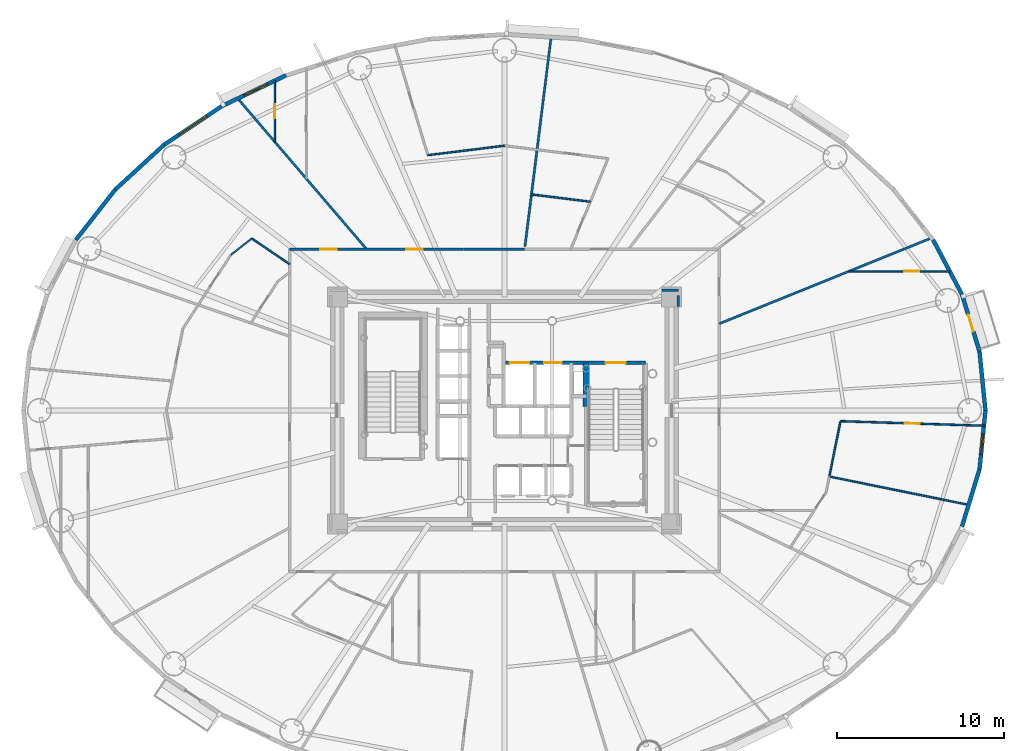
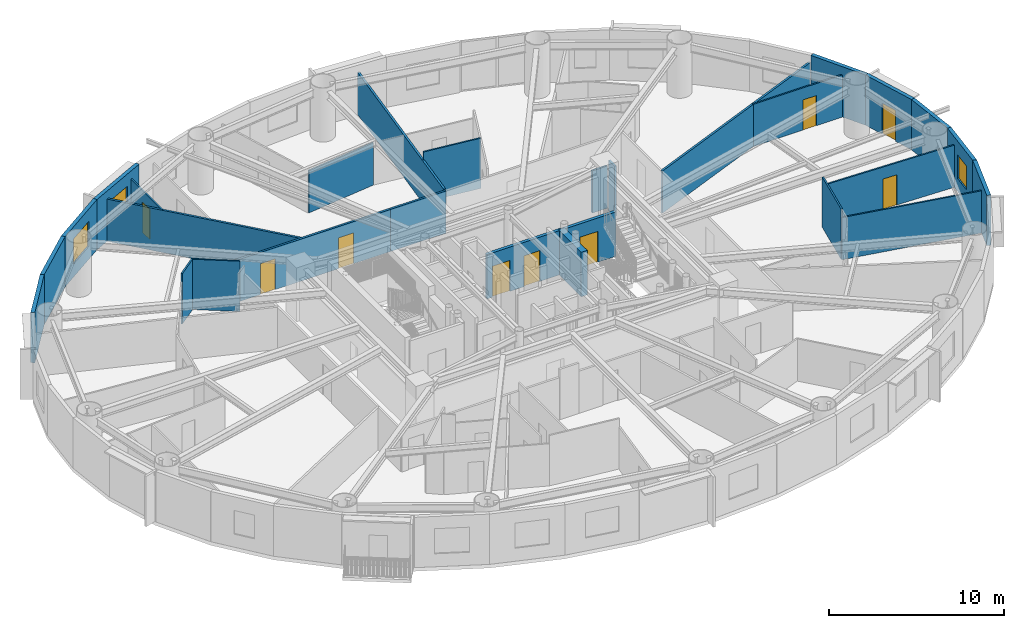
# One storey, part 10 of 18: 27 walls, 9 doors, 3 windows, 12 openings.
"""IFC4 building model written with IfcOpenShell, lengths in metres."""

from ifc_helpers import new_model, si_unit, direction, frame, frame_2d, origin, origin_2d, place, context, subcontext, project, spatial, rectangle, extrude, source, transform, mapped, material, layer, layer_set, type_object, element, fill, save


model = new_model("IFC4")

# Units and contexts
model_context = context("Model", 3, precision=1e-05, world=origin(), true_north=direction((0.0, 1.0)))
body_context = subcontext(model_context, "Body", "Model", "MODEL_VIEW")
ifc_project = project(units=[si_unit("LENGTHUNIT", "METRE"), si_unit("AREAUNIT", "SQUARE_METRE"), si_unit("VOLUMEUNIT", "CUBIC_METRE"), si_unit("PLANEANGLEUNIT", "RADIAN"), si_unit("MASSUNIT", "GRAM", prefix="KILO")], contexts=[model_context])

# Site, building, storey
site_placement = place(None, origin())
site = spatial("IfcSite", under=ifc_project, at=site_placement, CompositionType="ELEMENT")
building_placement = place(site_placement, origin())
building = spatial("IfcBuilding", under=site, at=building_placement, Name="Linh Dai School and Residence Tower", CompositionType="ELEMENT")
storey_placement = place(building_placement, frame((0.0, 0.0, 100.949951171875)))
storey = spatial("IfcBuildingStorey", under=building, at=storey_placement, Name="L23", CompositionType="ELEMENT", Elevation=100.949951171875)

# Wall
ifc_material_1 = material(Name="Precast Concrete B45 (C35/45)", Category="concrete")
ifc_layer_1 = layer(ifc_material_1, 0.239990234375)
ifc_layer_set_1 = layer_set([ifc_layer_1], Name="Precast Concrete B45 (C35/45)")
wall_type_1 = type_object("IfcWallType", Name="EW-TC-240", PredefinedType="SOLIDWALL", material=ifc_layer_set_1)
wall_1_placement = place(storey_placement, frame((64.421630859375, 30.515380859375, 0.0), z_axis=(0.0, 0.0, 1.0), x_axis=(0.099989468229, -0.994988495533, 0.0)))
element("IfcWall", 1, at=wall_1_placement, inside=storey, type_object=wall_type_1, Name="L23 Terracotta Exterior Wall 01", PredefinedType="SOLIDWALL", context=body_context, shape_type="SweptSolid", body=[
    extrude(rectangle(XDim=3.533203125, YDim=0.239990234375, at=frame_2d((1.7666015625, 0.0))), origin(), (0.0, 0.0, 1.0), 3.5),
])

# Wall, opening, door
wall_2_placement = place(storey_placement, frame((63.3701171875, 33.945068359375, 0.0), z_axis=(0.0, 0.0, 1.0), x_axis=(0.293124431344, -0.956074300329, 0.0)))
wall_2 = element("IfcWall", 2, at=wall_2_placement, inside=storey, type_object=wall_type_1, Name="L23 Terracotta Exterior Wall 02", PredefinedType="SOLIDWALL", context=body_context, shape_type="SweptSolid", body=[
    extrude(rectangle(XDim=3.587158203125, YDim=0.239990234375, at=frame_2d((1.79345703125, 0.0))), origin(), (0.0, 0.0, 1.0), 3.5),
])
opening_1_placement = place(wall_2_placement, frame((1.268798828125, 0.0, 0.0)))
opening_1 = element("IfcOpeningElement", 3, at=opening_1_placement, cuts=wall_2, Name="Opening BD1", PredefinedType="OPENING", context=body_context, shape_type="SweptSolid", body=[
    extrude(rectangle(XDim=1.050048828125, YDim=2.14990234375, at=origin_2d()), frame((0.52490234375, 0.1298828125, 1.074951171875), z_axis=(0.0, -1.0, 0.0), x_axis=(1.0, 0.0, 0.0)), (0.0, 0.0, 1.0), 0.260009765625),
])
ifc_material_2 = material(Name="Double-Glazed Balcony Door", Category="glass")
door_type_1 = type_object("IfcDoorType", Name="DR-BALC-1050x2150", OperationType="NOTDEFINED", PredefinedType="DOOR", material=ifc_material_2)
shared_shape_1 = source(origin(), body_context, "Body", "SweptSolid", [
    extrude(rectangle(XDim=1.050048828125, YDim=2.14990234375, at=origin_2d()), frame((0.52490234375, 0.02490234375, 1.074951171875), z_axis=(0.0, -1.0, 0.0), x_axis=(1.0, 0.0, 0.0)), (0.0, 0.0, 1.0), 0.050048828125),
])
door_1_placement = place(opening_1_placement, origin())
door_1 = element("IfcDoor", 4, at=door_1_placement, inside=storey, type_object=door_type_1, Name="L23 Glazed Balcony Door 02", OperationType="SINGLE_SWING_RIGHT", OverallHeight=2.14990234375, OverallWidth=1.050048828125, PredefinedType="DOOR", context=body_context, shape_type="MappedRepresentation", body=[
    mapped(shared_shape_1, transform((0.0, 0.0, 0.0), x_axis=(1.0, 0.0, 0.0), y_axis=(0.0, 1.0, 0.0), z_axis=(0.0, 0.0, 1.0), scale=1.0)),
])
fill(opening_1, door_1)

# Wall
wall_3_placement = place(storey_placement, frame((61.645263671875, 37.20556640625, 0.0), z_axis=(0.0, 0.0, 1.0), x_axis=(0.467614004126, -0.883932770716, 0.0)))
element("IfcWall", 5, at=wall_3_placement, inside=storey, type_object=wall_type_1, Name="L23 Terracotta Exterior Wall 03", PredefinedType="SOLIDWALL", context=body_context, shape_type="SweptSolid", body=[
    extrude(rectangle(XDim=3.688720703125, YDim=0.239990234375, at=frame_2d((1.84423828125, 0.0))), origin(), (0.0, 0.0, 1.0), 3.5),
])

# Wall, opening, window
wall_4_placement = place(storey_placement, frame((19.07470703125, 45.199462890625, 0.0), z_axis=(0.0, 0.0, 1.0), x_axis=(0.901589935876, 0.432591709962, 0.0)))
wall_4 = element("IfcWall", 6, at=wall_4_placement, inside=storey, type_object=wall_type_1, Name="L23 Terracotta Exterior Wall 14", PredefinedType="SOLIDWALL", context=body_context, shape_type="SweptSolid", body=[
    extrude(rectangle(XDim=4.271728515625, YDim=0.239990234375, at=frame_2d((2.1357421875, 0.0))), origin(), (0.0, 0.0, 1.0), 3.5),
])
opening_2_placement = place(wall_4_placement, frame((1.492919921875, 0.0, 0.89990234375)))
opening_2 = element("IfcOpeningElement", 7, at=opening_2_placement, cuts=wall_4, Name="Opening W2", PredefinedType="OPENING", context=body_context, shape_type="SweptSolid", body=[
    extrude(rectangle(XDim=1.60009765625, YDim=1.75, at=origin_2d()), frame((0.800048828125, 0.1298828125, 0.875), z_axis=(0.0, -1.0, 0.0), x_axis=(1.0, 0.0, 0.0)), (0.0, 0.0, 1.0), 0.260009765625),
])
ifc_material_3 = material(Name="Double Low-E Insulated Glazing", Category="glass")
window_type_1 = type_object("IfcWindowType", Name="WN-RES-1600x1750", PartitioningType="DOUBLE_PANEL_VERTICAL", PredefinedType="WINDOW", material=ifc_material_3)
shared_shape_2 = source(origin(), body_context, "Body", "SweptSolid", [
    extrude(rectangle(XDim=1.60009765625, YDim=1.75, at=origin_2d()), frame((0.800048828125, 0.030029296875, 0.875), z_axis=(0.0, -1.0, 0.0), x_axis=(1.0, 0.0, 0.0)), (0.0, 0.0, 1.0), 0.06005859375),
])
window_1_placement = place(opening_2_placement, origin())
window_1 = element("IfcWindow", 8, at=window_1_placement, inside=storey, type_object=window_type_1, Name="L23 Exterior Window 14.1", OverallHeight=1.75, OverallWidth=1.60009765625, PartitioningType="DOUBLE_PANEL_VERTICAL", PredefinedType="WINDOW", context=body_context, shape_type="MappedRepresentation", body=[
    mapped(shared_shape_2, transform((0.0, 0.0, 0.0), x_axis=(1.0, 0.0, 0.0), y_axis=(0.0, 1.0, 0.0), z_axis=(0.0, 0.0, 1.0), scale=1.0)),
])
fill(opening_2, window_1)

wall_5_placement = place(storey_placement, frame((15.6416015625, 42.9033203125, 0.0), z_axis=(0.0, 0.0, 1.0), x_axis=(0.831221811447, 0.555940914284, 0.0)))
wall_5 = element("IfcWall", 9, at=wall_5_placement, inside=storey, type_object=wall_type_1, Name="L23 Terracotta Exterior Wall 15", PredefinedType="SOLIDWALL", context=body_context, shape_type="SweptSolid", body=[
    extrude(rectangle(XDim=4.130126953125, YDim=0.239990234375, at=frame_2d((2.06494140625, 0.0))), origin(), (0.0, 0.0, 1.0), 3.5),
])
opening_3_placement = place(wall_5_placement, frame((1.065185546875, 0.0, 0.89990234375)))
opening_3 = element("IfcOpeningElement", 10, at=opening_3_placement, cuts=wall_5, Name="Opening W1", PredefinedType="OPENING", context=body_context, shape_type="SweptSolid", body=[
    extrude(rectangle(XDim=2.0, YDim=1.75, at=origin_2d()), frame((1.0, 0.1298828125, 0.875), z_axis=(0.0, -1.0, 0.0), x_axis=(1.0, 0.0, 0.0)), (0.0, 0.0, 1.0), 0.260009765625),
])
window_type_2 = type_object("IfcWindowType", Name="WN-RES-2000x1750", PartitioningType="DOUBLE_PANEL_VERTICAL", PredefinedType="WINDOW", material=ifc_material_3)
shared_shape_3 = source(origin(), body_context, "Body", "SweptSolid", [
    extrude(rectangle(XDim=2.0, YDim=1.75, at=origin_2d()), frame((1.0, 0.030029296875, 0.875), z_axis=(0.0, -1.0, 0.0), x_axis=(1.0, 0.0, 0.0)), (0.0, 0.0, 1.0), 0.06005859375),
])
window_2_placement = place(opening_3_placement, origin())
window_2 = element("IfcWindow", 11, at=window_2_placement, inside=storey, type_object=window_type_2, Name="L23 Exterior Window 15.1", OverallHeight=1.75, OverallWidth=2.0, PartitioningType="DOUBLE_PANEL_VERTICAL", PredefinedType="WINDOW", context=body_context, shape_type="MappedRepresentation", body=[
    mapped(shared_shape_3, transform((0.0, 0.0, 0.0), x_axis=(1.0, 0.0, 0.0), y_axis=(0.0, 1.0, 0.0), z_axis=(0.0, 0.0, 1.0), scale=1.0)),
])
fill(opening_3, window_2)

# Walls
wall_6_placement = place(storey_placement, frame((12.7109375, 40.216552734375, 0.0), z_axis=(0.0, 0.0, 1.0), x_axis=(0.737113356241, 0.675769117414, 0.0)))
element("IfcWall", 12, at=wall_6_placement, inside=storey, type_object=wall_type_1, Name="L23 Terracotta Exterior Wall 16", PredefinedType="SOLIDWALL", context=body_context, shape_type="SweptSolid", body=[
    extrude(rectangle(XDim=3.975830078125, YDim=0.239990234375, at=frame_2d((1.98779296875, 0.0))), origin(), (0.0, 0.0, 1.0), 3.5),
])
wall_7_placement = place(storey_placement, frame((10.354736328125, 37.20556640625, 0.0), z_axis=(0.0, 0.0, 1.0), x_axis=(0.616272103517, 0.787533297345, 0.0)))
element("IfcWall", 13, at=wall_7_placement, inside=storey, type_object=wall_type_1, Name="L23 Terracotta Exterior Wall 17", PredefinedType="SOLIDWALL", context=body_context, shape_type="SweptSolid", body=[
    extrude(rectangle(XDim=3.8232421875, YDim=0.239990234375, at=frame_2d((1.91162109375, 0.0))), origin(), (0.0, 0.0, 1.0), 3.5),
])
wall_8_placement = place(storey_placement, frame((64.421630859375, 23.484619140625, 0.0), z_axis=(0.0, 0.0, 1.0), x_axis=(-0.293124431344, -0.956074300329, 0.0)))
element("IfcWall", 14, at=wall_8_placement, inside=storey, type_object=wall_type_1, Name="L23 Terracotta Exterior Wall 39", PredefinedType="SOLIDWALL", context=body_context, shape_type="SweptSolid", body=[
    extrude(rectangle(XDim=3.587158203125, YDim=0.239990234375, at=frame_2d((1.79345703125, 0.0))), origin(), (0.0, 0.0, 1.0), 3.5),
])

# Wall, opening, window
wall_9_placement = place(storey_placement, frame((64.77490234375, 27.0, 0.0), z_axis=(0.0, 0.0, 1.0), x_axis=(-0.099989468229, -0.994988495533, 0.0)))
wall_9 = element("IfcWall", 15, at=wall_9_placement, inside=storey, type_object=wall_type_1, Name="L23 Terracotta Exterior Wall 40", PredefinedType="SOLIDWALL", context=body_context, shape_type="SweptSolid", body=[
    extrude(rectangle(XDim=3.533203125, YDim=0.239990234375, at=frame_2d((1.7666015625, 0.0))), origin(), (0.0, 0.0, 1.0), 3.5),
])
opening_4_placement = place(wall_9_placement, frame((1.408447265625, 0.0, 0.89990234375)))
opening_4 = element("IfcOpeningElement", 16, at=opening_4_placement, cuts=wall_9, Name="Opening W3", PredefinedType="OPENING", context=body_context, shape_type="SweptSolid", body=[
    extrude(rectangle(XDim=1.25, YDim=1.64990234375, at=origin_2d()), frame((0.625, 0.1298828125, 0.824951171875), z_axis=(0.0, -1.0, 0.0), x_axis=(1.0, 0.0, 0.0)), (0.0, 0.0, 1.0), 0.260009765625),
])
window_type_3 = type_object("IfcWindowType", Name="WN-RES-1250x1650", PartitioningType="SINGLE_PANEL", PredefinedType="WINDOW", material=ifc_material_3)
shared_shape_4 = source(origin(), body_context, "Body", "SweptSolid", [
    extrude(rectangle(XDim=1.25, YDim=1.64990234375, at=origin_2d()), frame((0.625, 0.030029296875, 0.824951171875), z_axis=(0.0, -1.0, 0.0), x_axis=(1.0, 0.0, 0.0)), (0.0, 0.0, 1.0), 0.06005859375),
])
window_3_placement = place(opening_4_placement, origin())
window_3 = element("IfcWindow", 17, at=window_3_placement, inside=storey, type_object=window_type_3, Name="L23 Exterior Window 40.1", OverallHeight=1.64990234375, OverallWidth=1.25, PartitioningType="SINGLE_PANEL", PredefinedType="WINDOW", context=body_context, shape_type="MappedRepresentation", body=[
    mapped(shared_shape_4, transform((0.0, 0.0, 0.0), x_axis=(1.0, 0.0, 0.0), y_axis=(0.0, 1.0, 0.0), z_axis=(0.0, 0.0, 1.0), scale=1.0)),
])
fill(opening_4, window_3)

# Wall
ifc_material_4 = material(Name="Autoclaved Aerated Concrete Blockwork", Category="masonry")
ifc_layer_2 = layer(ifc_material_4, 0.135009765625)
ifc_layer_set_2 = layer_set([ifc_layer_2], Name="Autoclaved Aerated Concrete Blockwork")
wall_type_2 = type_object("IfcWallType", Name="IW-CORR-135-EI90", PredefinedType="PARTITIONING", material=ifc_layer_set_2)
wall_10_placement = place(storey_placement, frame((20.03955078125, 45.66796875, 0.0), z_axis=(0.0, 0.0, 1.0), x_axis=(0.649828321201, -0.760081017369, 0.0)))
element("IfcWall", 18, at=wall_10_placement, inside=storey, type_object=wall_type_2, Name="L23 Interior Partition Wall 011", PredefinedType="PARTITIONING", context=body_context, shape_type="SweptSolid", body=[
    extrude(rectangle(XDim=11.864501953125, YDim=0.135009765625, at=frame_2d((5.93212890625, 0.0))), origin(), (0.0, 0.0, 1.0), 2.93505859375),
])

# Wall, openings, doors
wall_11_placement = place(storey_placement, frame((23.14990234375, 36.64990234375, 0.0), z_axis=(0.0, 0.0, 1.0), x_axis=(1.0, 0.0, 0.0)))
wall_11 = element("IfcWall", 19, at=wall_11_placement, inside=storey, type_object=wall_type_2, Name="L23 Interior Partition Wall 018", PredefinedType="PARTITIONING", context=body_context, shape_type="SweptSolid", body=[
    extrude(rectangle(XDim=10.373046875, YDim=0.135009765625, at=frame_2d((5.1865234375, 0.0))), origin(), (0.0, 0.0, 1.0), 2.93505859375),
])
opening_5_placement = place(wall_11_placement, frame((6.96630859375, 0.0, 0.0)))
opening_5 = element("IfcOpeningElement", 20, at=opening_5_placement, cuts=wall_11, Name="Opening D03", PredefinedType="OPENING", context=body_context, shape_type="SweptSolid", body=[
    extrude(rectangle(XDim=1.0, YDim=2.14990234375, at=origin_2d()), frame((0.5, 0.07763671875, 1.074951171875), z_axis=(0.0, -1.0, 0.0), x_axis=(1.0, 0.0, 0.0)), (0.0, 0.0, 1.0), 0.155029296875),
])
opening_6_placement = place(wall_11_placement, frame((1.81982421875, 0.0, 0.0)))
opening_6 = element("IfcOpeningElement", 21, at=opening_6_placement, cuts=wall_11, Name="Opening D03", PredefinedType="OPENING", context=body_context, shape_type="SweptSolid", body=[
    extrude(rectangle(XDim=1.0, YDim=2.14990234375, at=origin_2d()), frame((0.5, 0.07763671875, 1.074951171875), z_axis=(0.0, -1.0, 0.0), x_axis=(1.0, 0.0, 0.0)), (0.0, 0.0, 1.0), 0.155029296875),
])
ifc_material_5 = material(Name="Fire-Rated Solid Timber Entrance Door", Category="wood")
door_type_2 = type_object("IfcDoorType", Name="DR-FLAT-1000x2150-FD60S", OperationType="NOTDEFINED", PredefinedType="DOOR", material=ifc_material_5)
shared_shape_5 = source(origin(), body_context, "Body", "SweptSolid", [
    extrude(rectangle(XDim=1.0, YDim=2.14990234375, at=origin_2d()), frame((0.5, 0.02490234375, 1.074951171875), z_axis=(0.0, -1.0, 0.0), x_axis=(1.0, 0.0, 0.0)), (0.0, 0.0, 1.0), 0.050048828125),
])
door_2_placement = place(opening_5_placement, origin())
door_2 = element("IfcDoor", 22, at=door_2_placement, inside=storey, type_object=door_type_2, Name="L23 U2303 Apartment Entrance Door", OperationType="SINGLE_SWING_RIGHT", OverallHeight=2.14990234375, OverallWidth=1.0, PredefinedType="DOOR", context=body_context, shape_type="MappedRepresentation", body=[
    mapped(shared_shape_5, transform((0.0, 0.0, 0.0), x_axis=(1.0, 0.0, 0.0), y_axis=(0.0, 1.0, 0.0), z_axis=(0.0, 0.0, 1.0), scale=1.0)),
])
fill(opening_5, door_2)
door_3_placement = place(opening_6_placement, origin())
door_3 = element("IfcDoor", 23, at=door_3_placement, inside=storey, type_object=door_type_2, Name="L23 U2304 Apartment Entrance Door", OperationType="SINGLE_SWING_RIGHT", OverallHeight=2.14990234375, OverallWidth=1.0, PredefinedType="DOOR", context=body_context, shape_type="MappedRepresentation", body=[
    mapped(shared_shape_5, transform((0.0, 0.0, 0.0), x_axis=(1.0, 0.0, 0.0), y_axis=(0.0, 1.0, 0.0), z_axis=(0.0, 0.0, 1.0), scale=1.0)),
])
fill(opening_6, door_3)

# Walls
wall_12_placement = place(storey_placement, frame((37.224365234375, 36.805419921875, 0.0), z_axis=(0.0, 0.0, 1.0), x_axis=(0.123906262398, 0.992293927291, 0.0)))
element("IfcWall", 24, at=wall_12_placement, inside=storey, type_object=wall_type_2, Name="L23 Interior Partition Wall 058", PredefinedType="PARTITIONING", context=body_context, shape_type="SweptSolid", body=[
    extrude(rectangle(XDim=12.630126953125, YDim=0.135009765625, at=frame_2d((6.31494140625, 0.0))), origin(), (0.0, 0.0, 1.0), 2.93505859375),
])
wall_13_placement = place(storey_placement, frame((48.85009765625, 32.191650390625, 0.0), z_axis=(0.0, 0.0, 1.0), x_axis=(0.927181163505, 0.374613253958, 0.0)))
element("IfcWall", 25, at=wall_13_placement, inside=storey, type_object=wall_type_2, Name="L23 Interior Partition Wall 087", PredefinedType="PARTITIONING", context=body_context, shape_type="SweptSolid", body=[
    extrude(rectangle(XDim=13.70556640625, YDim=0.135009765625, at=frame_2d((6.852783203125, 0.0))), origin(), (0.0, 0.0, 1.0), 2.93505859375),
])
wall_14_placement = place(storey_placement, frame((33.532958984375, 36.64990234375, 0.0), z_axis=(0.0, 0.0, 1.0), x_axis=(1.0, 0.0, 0.0)))
element("IfcWall", 26, at=wall_14_placement, inside=storey, type_object=wall_type_2, Name="L23 Interior Partition Wall 106", PredefinedType="PARTITIONING", context=body_context, shape_type="SweptSolid", body=[
    extrude(rectangle(XDim=3.662109375, YDim=0.135009765625, at=frame_2d((1.8310546875, 0.0))), origin(), (0.0, 0.0, 1.0), 2.93505859375),
])
wall_15_placement = place(storey_placement, frame((46.39990234375, 34.199951171875, 0.0), z_axis=(0.0, 0.0, 1.0), x_axis=(-1.0, 0.0, 0.0)))
element("IfcWall", 27, at=wall_15_placement, inside=storey, type_object=wall_type_2, Name="L23 Interior Partition Wall 108", PredefinedType="PARTITIONING", context=body_context, shape_type="SweptSolid", body=[
    extrude(rectangle(XDim=0.989990234375, YDim=0.135009765625, at=frame_2d((0.4951171875, 0.0))), origin(), (0.0, 0.0, 1.0), 2.93505859375),
])
wall_16_placement = place(storey_placement, frame((46.39990234375, 33.2099609375, 0.0), z_axis=(0.0, 0.0, 1.0), x_axis=(0.0, 1.0, 0.0)))
element("IfcWall", 28, at=wall_16_placement, inside=storey, type_object=wall_type_2, Name="L23 Interior Partition Wall 115", PredefinedType="PARTITIONING", context=body_context, shape_type="SweptSolid", body=[
    extrude(rectangle(XDim=0.6826171875, YDim=0.135009765625, at=frame_2d((0.34130859375, 0.0))), origin(), (0.0, 0.0, 1.0), 3.5),
])

# Wall, openings, doors
ifc_material_6 = material(Name="Concrete B45 (C35/45)", Category="concrete")
ifc_layer_3 = layer(ifc_material_6, 0.199951171875)
ifc_layer_set_3 = layer_set([ifc_layer_3], Name="Concrete B45 (C35/45)")
wall_type_3 = type_object("IfcWallType", Name="IW-SHAFT-200-EI120", PredefinedType="PARTITIONING", material=ifc_layer_set_3)
wall_17_placement = place(storey_placement, frame((35.949951171875, 29.85009765625, 0.0), z_axis=(0.0, 0.0, 1.0), x_axis=(1.0, 0.0, 0.0)))
wall_17 = element("IfcWall", 29, at=wall_17_placement, inside=storey, type_object=wall_type_3, Name="L23 Interior Partition Wall 053", PredefinedType="PARTITIONING", context=body_context, shape_type="SweptSolid", body=[
    extrude(rectangle(XDim=8.489990234375, YDim=0.199951171875, at=frame_2d((4.2451171875, 0.0))), origin(), (0.0, 0.0, 1.0), 3.0849609375),
])
opening_7_placement = place(wall_17_placement, frame((6.10009765625, 0.0, 0.0)))
opening_7 = element("IfcOpeningElement", 30, at=opening_7_placement, cuts=wall_17, Name="Opening D01", PredefinedType="OPENING", context=body_context, shape_type="SweptSolid", body=[
    extrude(rectangle(XDim=1.199951171875, YDim=2.14990234375, at=origin_2d()), frame((0.60009765625, 0.10986328125, 1.074951171875), z_axis=(0.0, -1.0, 0.0), x_axis=(1.0, 0.0, 0.0)), (0.0, 0.0, 1.0), 0.219970703125),
])
opening_8_placement = place(wall_17_placement, frame((0.3701171875, 0.0, 0.0)))
opening_8 = element("IfcOpeningElement", 31, at=opening_8_placement, cuts=wall_17, Name="Opening LD-FF1", PredefinedType="OPENING", context=body_context, shape_type="SweptSolid", body=[
    extrude(rectangle(XDim=1.14990234375, YDim=2.14990234375, at=origin_2d()), frame((0.574951171875, 0.10986328125, 1.074951171875), z_axis=(0.0, -1.0, 0.0), x_axis=(1.0, 0.0, 0.0)), (0.0, 0.0, 1.0), 0.219970703125),
])
opening_9_placement = place(wall_17_placement, frame((2.425048828125, 0.0, 0.0)))
opening_9 = element("IfcOpeningElement", 32, at=opening_9_placement, cuts=wall_17, Name="Opening LD-SV1", PredefinedType="OPENING", context=body_context, shape_type="SweptSolid", body=[
    extrude(rectangle(XDim=1.050048828125, YDim=2.14990234375, at=origin_2d()), frame((0.52490234375, 0.10986328125, 1.074951171875), z_axis=(0.0, -1.0, 0.0), x_axis=(1.0, 0.0, 0.0)), (0.0, 0.0, 1.0), 0.219970703125),
])
ifc_material_7 = material(Name="Fire-Rated Steel Door Leaf", Category="steel")
door_type_3 = type_object("IfcDoorType", Name="DR-STAIR-1200x2150-FD90S", OperationType="NOTDEFINED", PredefinedType="DOOR", material=ifc_material_7)
shared_shape_6 = source(origin(), body_context, "Body", "SweptSolid", [
    extrude(rectangle(XDim=1.199951171875, YDim=2.14990234375, at=origin_2d()), frame((0.60009765625, 0.02490234375, 1.074951171875), z_axis=(0.0, -1.0, 0.0), x_axis=(1.0, 0.0, 0.0)), (0.0, 0.0, 1.0), 0.050048828125),
])
door_4_placement = place(opening_7_placement, origin())
door_4 = element("IfcDoor", 33, at=door_4_placement, inside=storey, type_object=door_type_3, Name="L23 Core Smokeproof Exit Stair ST2 Door", OperationType="SINGLE_SWING_LEFT", OverallHeight=2.14990234375, OverallWidth=1.199951171875, PredefinedType="DOOR", context=body_context, shape_type="MappedRepresentation", body=[
    mapped(shared_shape_6, transform((0.0, 0.0, 0.0), x_axis=(1.0, 0.0, 0.0), y_axis=(0.0, 1.0, 0.0), z_axis=(0.0, 0.0, 1.0), scale=1.0)),
])
fill(opening_7, door_4)
ifc_material_8 = material(Name="Fire-Rated Stainless Steel Firefighting Lift Door", Category="steel")
door_type_4 = type_object("IfcDoorType", Name="DR-LD-FF-1150x2150-FD120", OperationType="DOUBLE_DOOR_SLIDING", PredefinedType="USERDEFINED", material=ifc_material_8)
shared_shape_7 = source(origin(), body_context, "Body", "SweptSolid", [
    extrude(rectangle(XDim=1.14990234375, YDim=2.14990234375, at=origin_2d()), frame((0.574951171875, 0.02490234375, 1.074951171875), z_axis=(0.0, -1.0, 0.0), x_axis=(1.0, 0.0, 0.0)), (0.0, 0.0, 1.0), 0.050048828125),
])
door_5_placement = place(opening_8_placement, origin())
door_5 = element("IfcDoor", 34, at=door_5_placement, inside=storey, type_object=door_type_4, Name="L23 Lift FF1 Sliding Landing Door", ObjectType="LANDING DOOR", OperationType="DOUBLE_DOOR_SLIDING", OverallHeight=2.14990234375, OverallWidth=1.14990234375, PredefinedType="USERDEFINED", context=body_context, shape_type="MappedRepresentation", body=[
    mapped(shared_shape_7, transform((0.0, 0.0, 0.0), x_axis=(1.0, 0.0, 0.0), y_axis=(0.0, 1.0, 0.0), z_axis=(0.0, 0.0, 1.0), scale=1.0)),
])
fill(opening_8, door_5)
ifc_material_9 = material(Name="Brushed Stainless Steel Lift Landing Door", Category="steel")
door_type_5 = type_object("IfcDoorType", Name="DR-LD-PASS-1050x2150", OperationType="DOUBLE_DOOR_SLIDING", PredefinedType="USERDEFINED", material=ifc_material_9)
shared_shape_8 = source(origin(), body_context, "Body", "SweptSolid", [
    extrude(rectangle(XDim=1.050048828125, YDim=2.14990234375, at=origin_2d()), frame((0.52490234375, 0.02490234375, 1.074951171875), z_axis=(0.0, -1.0, 0.0), x_axis=(1.0, 0.0, 0.0)), (0.0, 0.0, 1.0), 0.050048828125),
])
door_6_placement = place(opening_9_placement, origin())
door_6 = element("IfcDoor", 35, at=door_6_placement, inside=storey, type_object=door_type_5, Name="L23 Lift SV1 Sliding Landing Door", ObjectType="LANDING DOOR", OperationType="DOUBLE_DOOR_SLIDING", OverallHeight=2.14990234375, OverallWidth=1.050048828125, PredefinedType="USERDEFINED", context=body_context, shape_type="MappedRepresentation", body=[
    mapped(shared_shape_8, transform((0.0, 0.0, 0.0), x_axis=(1.0, 0.0, 0.0), y_axis=(0.0, 1.0, 0.0), z_axis=(0.0, 0.0, 1.0), scale=1.0)),
])
fill(opening_9, door_6)

# Walls
ifc_material_10 = material(Name="Gypsum Plasterboard Acoustic Stud Partition", Category="masonry")
ifc_layer_4 = layer(ifc_material_10, 0.10009765625)
ifc_layer_set_4 = layer_set([ifc_layer_4], Name="Gypsum Plasterboard Acoustic Stud Partition")
wall_type_4 = type_object("IfcWallType", Name="IW-UNIT-100", PredefinedType="PARTITIONING", material=ifc_layer_set_4)
wall_18_placement = place(storey_placement, frame((19.633544921875, 36.31103515625, 0.0), z_axis=(0.0, 0.0, 1.0), x_axis=(0.787313775385, 0.616552527437, 0.0)))
element("IfcWall", 36, at=wall_18_placement, inside=storey, type_object=wall_type_4, Name="L23 Interior Partition Wall 010", PredefinedType="PARTITIONING", context=body_context, shape_type="SweptSolid", body=[
    extrude(rectangle(XDim=1.58984375, YDim=0.10009765625, at=frame_2d((0.794921875, 0.0))), origin(), (0.0, 0.0, 1.0), 3.5),
])
wall_19_placement = place(storey_placement, frame((20.88525390625, 37.291259765625, 0.0), z_axis=(0.0, 0.0, 1.0), x_axis=(0.826581607155, -0.562816885596, 0.0)))
element("IfcWall", 37, at=wall_19_placement, inside=storey, type_object=wall_type_4, Name="L23 Interior Partition Wall 013", PredefinedType="PARTITIONING", context=body_context, shape_type="SweptSolid", body=[
    extrude(rectangle(XDim=2.73974609375, YDim=0.10009765625, at=frame_2d((1.369873046875, 0.0))), origin(), (0.0, 0.0, 1.0), 3.5),
])

# Wall, opening, door
wall_20_placement = place(storey_placement, frame((22.265380859375, 43.064453125, 0.0), z_axis=(0.0, 0.0, 1.0), x_axis=(0.0, 1.0, 0.0)))
wall_20 = element("IfcWall", 38, at=wall_20_placement, inside=storey, type_object=wall_type_4, Name="L23 Interior Partition Wall 014", PredefinedType="PARTITIONING", context=body_context, shape_type="SweptSolid", body=[
    extrude(rectangle(XDim=3.67138671875, YDim=0.10009765625, at=frame_2d((1.835693359375, 0.0))), origin(), (0.0, 0.0, 1.0), 2.93505859375),
])
opening_10_placement = place(wall_20_placement, frame((1.42578125, 0.0, 0.0)))
opening_10 = element("IfcOpeningElement", 39, at=opening_10_placement, cuts=wall_20, Name="Opening D06", PredefinedType="OPENING", context=body_context, shape_type="SweptSolid", body=[
    extrude(rectangle(XDim=0.820068359375, YDim=2.10009765625, at=origin_2d()), frame((0.41015625, 0.06005859375, 1.050048828125), z_axis=(0.0, -1.0, 0.0), x_axis=(1.0, 0.0, 0.0)), (0.0, 0.0, 1.0), 0.1201171875),
])
ifc_material_11 = material(Name="Moisture-Resistant Timber Bathroom Door", Category="wood")
door_type_6 = type_object("IfcDoorType", Name="DR-WET-820x2100", OperationType="NOTDEFINED", PredefinedType="DOOR", material=ifc_material_11)
shared_shape_9 = source(origin(), body_context, "Body", "SweptSolid", [
    extrude(rectangle(XDim=0.820068359375, YDim=2.10009765625, at=origin_2d()), frame((0.41015625, 0.02490234375, 1.050048828125), z_axis=(0.0, -1.0, 0.0), x_axis=(1.0, 0.0, 0.0)), (0.0, 0.0, 1.0), 0.050048828125),
])
door_7_placement = place(opening_10_placement, origin())
door_7 = element("IfcDoor", 40, at=door_7_placement, inside=storey, type_object=door_type_6, Name="L23 Apartment U2303 Bathroom 1 Door", OperationType="SINGLE_SWING_LEFT", OverallHeight=2.10009765625, OverallWidth=0.820068359375, PredefinedType="DOOR", context=body_context, shape_type="MappedRepresentation", body=[
    mapped(shared_shape_9, transform((0.0, 0.0, 0.0), x_axis=(1.0, 0.0, 0.0), y_axis=(0.0, 1.0, 0.0), z_axis=(0.0, 0.0, 1.0), scale=1.0)),
])
fill(opening_10, door_7)

# Walls
wall_21_placement = place(storey_placement, frame((31.416259765625, 42.2724609375, 0.0), z_axis=(0.0, 0.0, 1.0), x_axis=(0.992393726446, 0.12310439355, 0.0)))
element("IfcWall", 41, at=wall_21_placement, inside=storey, type_object=wall_type_4, Name="L23 Interior Partition Wall 032", PredefinedType="PARTITIONING", context=body_context, shape_type="SweptSolid", body=[
    extrude(rectangle(XDim=4.618896484375, YDim=0.10009765625, at=frame_2d((2.3095703125, 0.0))), origin(), (0.0, 0.0, 1.0), 2.93505859375),
])
wall_22_placement = place(storey_placement, frame((37.614013671875, 39.92529296875, 0.0), z_axis=(0.0, 0.0, 1.0), x_axis=(0.992397148182, -0.123076806427, 0.0)))
element("IfcWall", 42, at=wall_22_placement, inside=storey, type_object=wall_type_4, Name="L23 Interior Partition Wall 059", PredefinedType="PARTITIONING", context=body_context, shape_type="SweptSolid", body=[
    extrude(rectangle(XDim=3.544677734375, YDim=0.10009765625, at=frame_2d((1.7724609375, 0.0))), origin(), (0.0, 0.0, 1.0), 3.5),
])
wall_23_placement = place(storey_placement, frame((55.432861328125, 23.059326171875, 0.0), z_axis=(0.0, 0.0, 1.0), x_axis=(0.198276597798, 0.980146106846, 0.0)))
element("IfcWall", 43, at=wall_23_placement, inside=storey, type_object=wall_type_4, Name="L23 Interior Partition Wall 092", PredefinedType="PARTITIONING", context=body_context, shape_type="SweptSolid", body=[
    extrude(rectangle(XDim=3.36767578125, YDim=0.10009765625, at=frame_2d((1.683837890625, 0.0))), origin(), (0.0, 0.0, 1.0), 3.5),
])
wall_24_placement = place(storey_placement, frame((55.430908203125, 23.049560546875, 0.0), z_axis=(0.0, 0.0, 1.0), x_axis=(0.979953651871, -0.199225601228, 0.0)))
element("IfcWall", 44, at=wall_24_placement, inside=storey, type_object=wall_type_4, Name="L23 Interior Partition Wall 093", PredefinedType="PARTITIONING", context=body_context, shape_type="SweptSolid", body=[
    extrude(rectangle(XDim=8.51318359375, YDim=0.10009765625, at=frame_2d((4.256591796875, 0.0))), origin(), (0.0, 0.0, 1.0), 2.93505859375),
])

# Wall, opening, door
wall_25_placement = place(storey_placement, frame((56.1005859375, 26.360107421875, 0.0), z_axis=(0.0, 0.0, 1.0), x_axis=(0.999493466978, -0.031824667605, 0.0)))
wall_25 = element("IfcWall", 45, at=wall_25_placement, inside=storey, type_object=wall_type_4, Name="L23 Interior Partition Wall 094", PredefinedType="PARTITIONING", context=body_context, shape_type="SweptSolid", body=[
    extrude(rectangle(XDim=8.592041015625, YDim=0.10009765625, at=frame_2d((4.2958984375, 0.0))), origin(), (0.0, 0.0, 1.0), 2.93505859375),
])
opening_11_placement = place(wall_25_placement, frame((3.845947265625, 0.0, 0.0)))
opening_11 = element("IfcOpeningElement", 46, at=opening_11_placement, cuts=wall_25, Name="Opening D05", PredefinedType="OPENING", context=body_context, shape_type="SweptSolid", body=[
    extrude(rectangle(XDim=0.89990234375, YDim=2.10009765625, at=origin_2d()), frame((0.449951171875, 0.06005859375, 1.050048828125), z_axis=(0.0, -1.0, 0.0), x_axis=(1.0, 0.0, 0.0)), (0.0, 0.0, 1.0), 0.1201171875),
])
ifc_material_12 = material(Name="Engineered Timber Internal Door", Category="wood")
door_type_7 = type_object("IfcDoorType", Name="DR-INT-900x2100", OperationType="NOTDEFINED", PredefinedType="DOOR", material=ifc_material_12)
shared_shape_10 = source(origin(), body_context, "Body", "SweptSolid", [
    extrude(rectangle(XDim=0.89990234375, YDim=2.10009765625, at=origin_2d()), frame((0.449951171875, 0.02490234375, 1.050048828125), z_axis=(0.0, -1.0, 0.0), x_axis=(1.0, 0.0, 0.0)), (0.0, 0.0, 1.0), 0.050048828125),
])
door_8_placement = place(opening_11_placement, origin())
door_8 = element("IfcDoor", 47, at=door_8_placement, inside=storey, type_object=door_type_7, Name="L23 Apartment U2309 Study Door", OperationType="SINGLE_SWING_LEFT", OverallHeight=2.10009765625, OverallWidth=0.89990234375, PredefinedType="DOOR", context=body_context, shape_type="MappedRepresentation", body=[
    mapped(shared_shape_10, transform((0.0, 0.0, 0.0), x_axis=(1.0, 0.0, 0.0), y_axis=(0.0, 1.0, 0.0), z_axis=(0.0, 0.0, 1.0), scale=1.0)),
])
fill(opening_11, door_8)

wall_26_placement = place(storey_placement, frame((56.61474609375, 35.323974609375, 0.0), z_axis=(0.0, 0.0, 1.0), x_axis=(1.0, 0.0, 0.0)))
wall_26 = element("IfcWall", 48, at=wall_26_placement, inside=storey, type_object=wall_type_4, Name="L23 Interior Partition Wall 095", PredefinedType="PARTITIONING", context=body_context, shape_type="SweptSolid", body=[
    extrude(rectangle(XDim=6.031494140625, YDim=0.10009765625, at=frame_2d((3.015625, 0.0))), origin(), (0.0, 0.0, 1.0), 2.93505859375),
])
opening_12_placement = place(wall_26_placement, frame((3.299560546875, 0.0, 0.0)))
opening_12 = element("IfcOpeningElement", 49, at=opening_12_placement, cuts=wall_26, Name="Opening D05", PredefinedType="OPENING", context=body_context, shape_type="SweptSolid", body=[
    extrude(rectangle(XDim=0.89990234375, YDim=2.10009765625, at=origin_2d()), frame((0.449951171875, 0.06005859375, 1.050048828125), z_axis=(0.0, -1.0, 0.0), x_axis=(1.0, 0.0, 0.0)), (0.0, 0.0, 1.0), 0.1201171875),
])
door_9_placement = place(opening_12_placement, origin())
door_9 = element("IfcDoor", 50, at=door_9_placement, inside=storey, type_object=door_type_7, Name="L23 Apartment U2309 Kitchen Door", OperationType="SINGLE_SWING_LEFT", OverallHeight=2.10009765625, OverallWidth=0.89990234375, PredefinedType="DOOR", context=body_context, shape_type="MappedRepresentation", body=[
    mapped(shared_shape_10, transform((0.0, 0.0, 0.0), x_axis=(1.0, 0.0, 0.0), y_axis=(0.0, 1.0, 0.0), z_axis=(0.0, 0.0, 1.0), scale=1.0)),
])
fill(opening_12, door_9)

# Wall
ifc_layer_5 = layer(ifc_material_6, 0.39990234375)
ifc_layer_set_5 = layer_set([ifc_layer_5], Name="Concrete B45 (C35/45)")
wall_type_5 = type_object("IfcWallType", Name="WL-CORE400", PredefinedType="SHEAR", material=ifc_layer_set_5)
wall_27_placement = place(storey_placement, frame((40.89990234375, 27.25, 0.0), z_axis=(0.0, 0.0, 1.0), x_axis=(0.0, 1.0, 0.0)))
element("IfcWall", 51, at=wall_27_placement, inside=storey, type_object=wall_type_5, Name="L23 Internal Core Shear Wall IE", PredefinedType="SHEAR", context=body_context, shape_type="SweptSolid", body=[
    extrude(rectangle(XDim=2.60009765625, YDim=0.39990234375, at=frame_2d((1.300048828125, 0.0))), origin(), (0.0, 0.0, 1.0), 3.10009765625),
])

save(model, "model.ifc")
